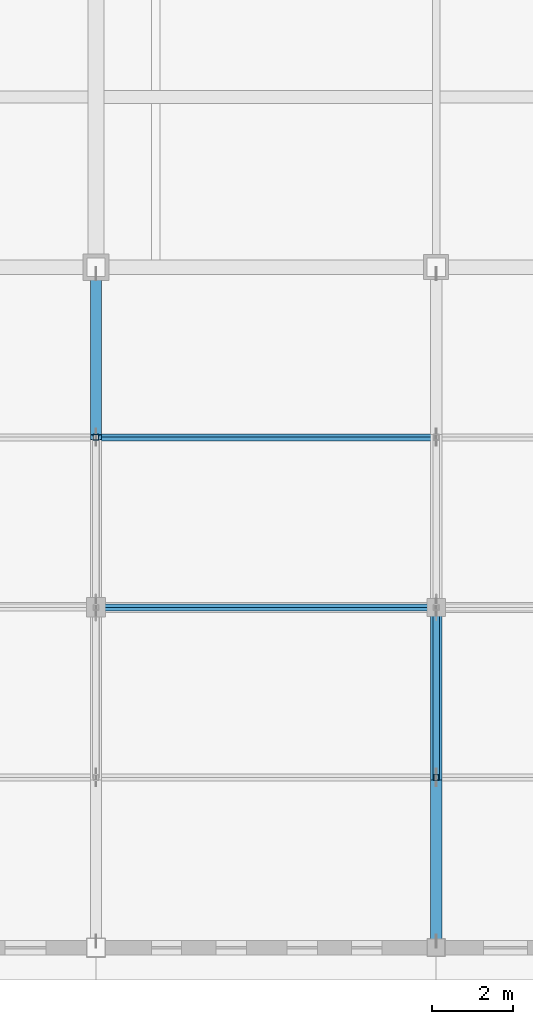
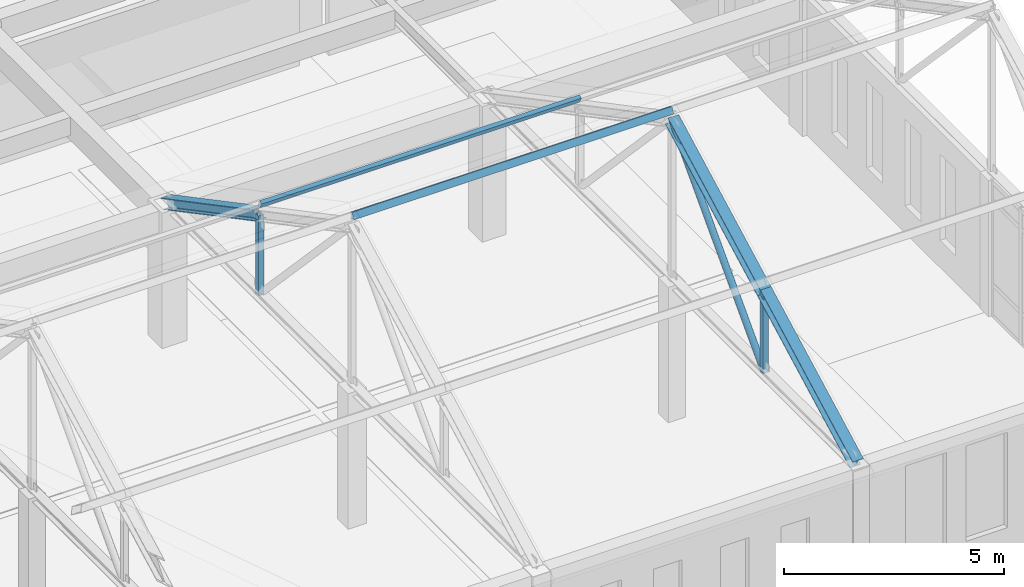
# One storey, part 10 of 47: 8 members.
"""IFC4 building model written with IfcOpenShell, lengths in metres."""

from ifc_helpers import new_model, si_unit, direction, frame, origin, origin_2d, place, context, subcontext, project, spatial, hollow_rectangle, hollow_circle, i_section, extrude, material, material_profile, profile_set, type_object, element, save


model = new_model("IFC4")

# Units and contexts
model_context = context("Model", 3, precision=1e-05, world=origin(), true_north=direction((0.0, 1.0)))
body_context = subcontext(model_context, "Body", "Model", "MODEL_VIEW")
ifc_project = project(units=[si_unit("LENGTHUNIT", "METRE"), si_unit("AREAUNIT", "SQUARE_METRE"), si_unit("VOLUMEUNIT", "CUBIC_METRE"), si_unit("PLANEANGLEUNIT", "RADIAN"), si_unit("MASSUNIT", "GRAM", prefix="KILO")], contexts=[model_context])

# Site, building, storey
site_placement = place(None, origin())
site = spatial("IfcSite", under=ifc_project, at=site_placement, CompositionType="ELEMENT")
building_placement = place(site_placement, origin())
building = spatial("IfcBuilding", under=site, at=building_placement, Name="Kveldsbrygga Polytechnic", CompositionType="ELEMENT")
storey_placement = place(building_placement, frame((0.0, 0.0, 13.93994140625)))
storey = spatial("IfcBuildingStorey", under=building, at=storey_placement, Name="L03", CompositionType="ELEMENT", Elevation=13.93994140625)

# Members
ifc_material = material(Name="Steel S355", Category="steel")
ifc_material_profile_1 = material_profile(ifc_material, hollow_circle(Radius=0.084228515625, WallThickness=0.010009765625, at=origin_2d()), Name="CHS 168.3x10.0")
ifc_profile_set_1 = profile_set([ifc_material_profile_1], Name="Steel S355")
member_type_1 = type_object("IfcMemberType", Name="BR-WIND-CHS168", PredefinedType="BRACE", material=ifc_profile_set_1)
member_placement = place(storey_placement, frame((159.60009765625, 4.199951171875, 3.780029296875), z_axis=(0.0, 0.686383320151, 0.727239945148), x_axis=(-1.0, 0.0, 0.0)))
element("IfcMember", 1, at=member_placement, inside=storey, type_object=member_type_1, Name="Truss Diagonal V4S4-T05-DG-2", PredefinedType="BRACE", context=body_context, shape_type="SweptSolid", body=[
    extrude(hollow_circle(Radius=0.084228515625, WallThickness=0.010009765625, at=origin_2d()), origin(), (0.0, 0.0, 1.0), 6.118896484375),
])
ifc_material_profile_2 = material_profile(ifc_material, hollow_rectangle(XDim=0.10009765625, YDim=0.179931640625, WallThickness=0.008056640625, at=origin_2d()), Name="RHS 180x100x8.0")
ifc_profile_set_2 = profile_set([ifc_material_profile_2], Name="Steel S355")
member_type_2 = type_object("IfcMemberType", Name="PRL-RHS180", PredefinedType="PURLIN", material=ifc_profile_set_2)
for number, where, z_axis, x_axis, name in (
    (2, (151.199951171875, 8.39990234375, 8.490234375), (1.0, 0.0, 0.0), (0.0, 0.883660254474, -0.468128779998), "Roof Purlin V4S4-PRL-4-2"),
    (3, (151.199951171875, 12.60009765625, 6.265380859375), (1.0, 0.0, 0.0), (0.0, 0.883660254474, 0.468128779998), "Roof Purlin V4S4-PRL-4-3"),
):
    element("IfcMember", number, at=place(storey_placement, frame(where, z_axis=z_axis, x_axis=x_axis)), inside=storey, type_object=member_type_2, Name=name, PredefinedType="PURLIN", context=body_context, shape_type="SweptSolid", body=[
        extrude(hollow_rectangle(XDim=0.10009765625, YDim=0.179931640625, WallThickness=0.008056640625, at=origin_2d()), origin(), (0.0, 0.0, 1.0), 8.400146484375),
    ])
ifc_material_profile_3 = material_profile(ifc_material, hollow_rectangle(XDim=0.139892578125, YDim=0.139892578125, WallThickness=0.008056640625, at=origin_2d()), Name="SHS 140x140x8.0")
ifc_profile_set_3 = profile_set([ifc_material_profile_3], Name="Steel S355")
member_type_3 = type_object("IfcMemberType", Name="TR-POST-SHS140", PredefinedType="STRUT", material=ifc_profile_set_3)
for number, where, z_axis, x_axis, name in (
    (4, (151.199951171875, 12.60009765625, 3.780029296875), (0.0, 0.0, 1.0), (1.0, 0.0, 0.0), "Truss Vertical V4S4-T04-VT-3"),
    (5, (159.60009765625, 4.199951171875, 3.780029296875), (0.0, 0.0, 1.0), (1.0, 0.0, 0.0), "Truss Vertical V4S4-T05-VT-1"),
):
    element("IfcMember", number, at=place(storey_placement, frame(where, z_axis=z_axis, x_axis=x_axis)), inside=storey, type_object=member_type_3, Name=name, PredefinedType="STRUT", context=body_context, shape_type="SweptSolid", body=[
        extrude(hollow_rectangle(XDim=0.139892578125, YDim=0.139892578125, WallThickness=0.008056640625, at=origin_2d()), origin(), (0.0, 0.0, 1.0), 2.22509765625),
    ])
ifc_material_profile_4 = material_profile(ifc_material, i_section(OverallWidth=0.280029296875, OverallDepth=0.280029296875, WebThickness=0.010498046875, FlangeThickness=0.01806640625, FilletRadius=0.02392578125, at=origin_2d()), Name="HEB 280")
ifc_profile_set_4 = profile_set([ifc_material_profile_4], Name="Steel S355")
member_type_4 = type_object("IfcMemberType", Name="TR-TOP-HEB280", PredefinedType="CHORD", material=ifc_profile_set_4)
for number, where, z_axis, x_axis, name in (
    (6, (151.199951171875, 12.60009765625, 6.005126953125), (0.0, 0.883649189339, -0.468149666432), (-1.0, 0.0, 0.0), "Truss Top Chord V4S4-T04-TC-4"),
    (7, (159.60009765625, 0.0, 3.780029296875), (0.0, 0.883649189339, 0.468149666432), (-1.0, 0.0, 0.0), "Truss Top Chord V4S4-T05-TC-1"),
    (8, (159.60009765625, 4.199951171875, 6.005126953125), (0.0, 0.883670438028, 0.468109556574), (-1.0, 0.0, 0.0), "Truss Top Chord V4S4-T05-TC-2"),
):
    element("IfcMember", number, at=place(storey_placement, frame(where, z_axis=z_axis, x_axis=x_axis)), inside=storey, type_object=member_type_4, Name=name, PredefinedType="CHORD", context=body_context, shape_type="SweptSolid", body=[
        extrude(i_section(OverallWidth=0.280029296875, OverallDepth=0.280029296875, WebThickness=0.010498046875, FlangeThickness=0.01806640625, FilletRadius=0.02392578125, at=origin_2d()), origin(), (0.0, 0.0, 1.0), 4.7529296875),
    ])

save(model, "model.ifc")
